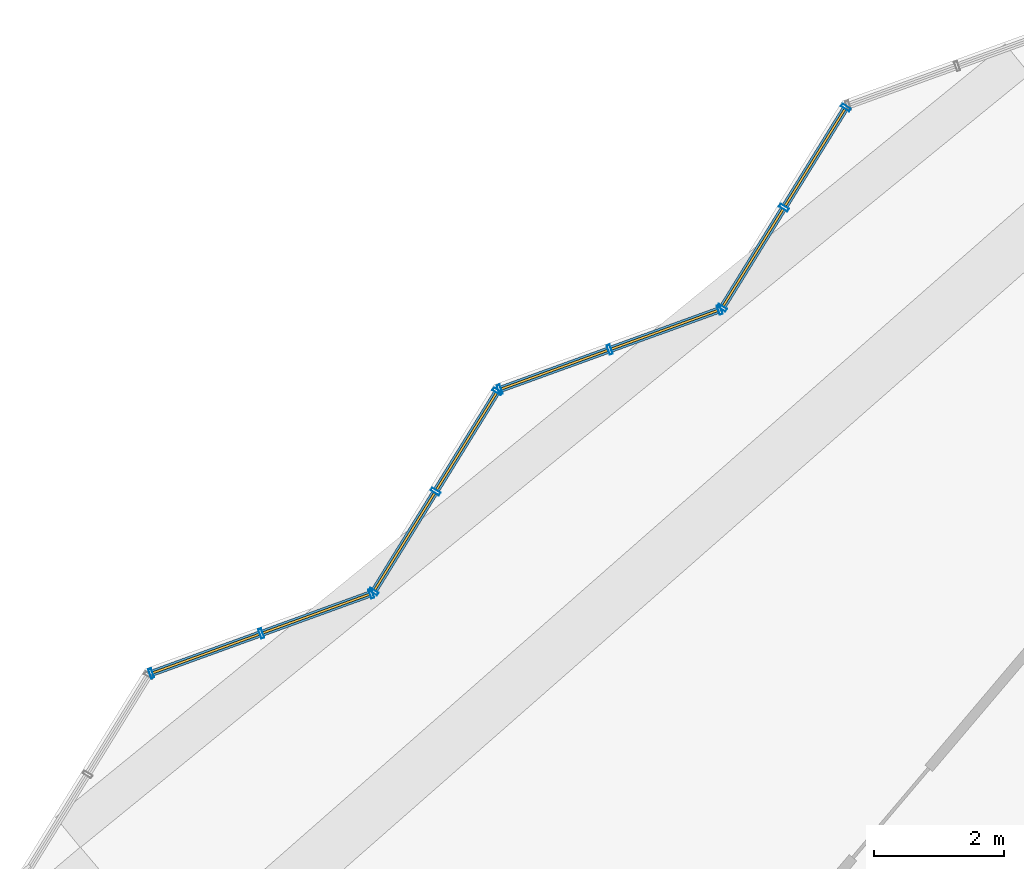
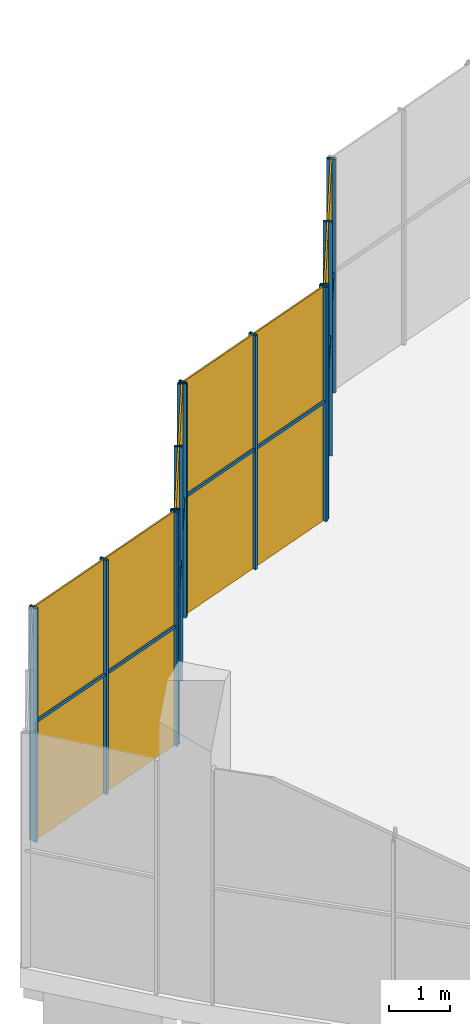
# One storey, part 29 of 41: 20 members, 4 curtain walls.
"""IFC4 building model written with IfcOpenShell, lengths in metres."""

import ifcopenshell
import ifcopenshell.guid

model = None  # the IFC model being written
_history = None  # IfcOwnerHistory: only IFC2X3 demands one
_inside = {}  # id of a spatial element -> (the spatial element, [elements in it])
_under = {}  # id of a project, library or spatial element -> (it, [spatial elements below it])
_declared = {}  # id of a project -> (the project, [libraries it declares])
_typed = {}  # id of a type object -> (the type object, [elements of that type])
_made_of = {}  # id of a material, layer set ... -> (it, [elements and type objects made of it])


def new_model(schema):
    """Start an empty IFC model of exactly this schema.

    Asked for "IFC4X3", IfcOpenShell would pick the latest addendum, in which some entities
    have other attributes; the version numbers below select the first issue.
    IFC2X3 requires an IfcOwnerHistory on every rooted entity: one is made here for all.
    """
    global model, _history
    if schema == "IFC4X3":
        model = ifcopenshell.file(schema_version=(4, 3, 0, 0))
    else:
        model = ifcopenshell.file(schema=schema)
    _inside.clear()
    _under.clear()
    _declared.clear()
    _typed.clear()
    _made_of.clear()
    _history = None
    if model.schema == "IFC2X3":
        org = make("IfcOrganization", Name="unknown")
        user = make(
            "IfcPersonAndOrganization",
            ThePerson=make("IfcPerson", FamilyName="unknown"),
            TheOrganization=org,
        )
        app = make(
            "IfcApplication",
            ApplicationDeveloper=org,
            Version="unknown",
            ApplicationFullName="unknown",
            ApplicationIdentifier="unknown",
        )
        _history = make(
            "IfcOwnerHistory",
            OwningUser=user,
            OwningApplication=app,
            ChangeAction="ADDED",
            CreationDate=0,
        )
    return model


def make(cls, **values):
    """One entity of the class cls with the attributes given. An attribute that is None is left unset."""
    return model.create_entity(
        cls, **{name: value for name, value in values.items() if value is not None}
    )


def rooted(cls, **values):
    """An entity with a GlobalId (a new one), such as an element, a storey or a relation."""
    return make(cls, GlobalId=ifcopenshell.guid.new(), OwnerHistory=_history, **values)


def si_unit(unit_type, name, prefix=None):
    """IfcSIUnit, for example si_unit("LENGTHUNIT", "METRE", prefix="MILLI")."""
    return make("IfcSIUnit", UnitType=unit_type, Prefix=prefix, Name=name)


def assignment(units):
    """IfcUnitAssignment: the units of a project."""
    return None if units is None else make("IfcUnitAssignment", Units=units)


def point(xyz):
    """IfcCartesianPoint."""
    return None if xyz is None else make("IfcCartesianPoint", Coordinates=xyz)


def direction(xyz):
    """IfcDirection."""
    return None if xyz is None else make("IfcDirection", DirectionRatios=xyz)


def frame(location, z_axis=None, x_axis=None):
    """IfcAxis2Placement3D, a coordinate frame: its origin and axes. An axis left out is left unset."""
    return make(
        "IfcAxis2Placement3D",
        Location=point(location),
        Axis=direction(z_axis),
        RefDirection=direction(x_axis),
    )


def frame_2d(location, x_axis=None):
    """IfcAxis2Placement2D, a coordinate frame in the plane: its origin and x axis."""
    return make(
        "IfcAxis2Placement2D", Location=point(location), RefDirection=direction(x_axis)
    )


def origin():
    """The frame at (0, 0, 0) with its axes left unset."""
    return frame((0.0, 0.0, 0.0))


def origin_2d():
    """The frame at (0, 0) in the plane with its x axis left unset."""
    return frame_2d((0.0, 0.0))


def place(relative_to, where):
    """IfcLocalPlacement: puts the frame where relative to a parent placement (None: the world)."""
    return make(
        "IfcLocalPlacement", PlacementRelTo=relative_to, RelativePlacement=where
    )


def context(
    kind, dimensions, precision=None, world=None, true_north=None, identifier=None
):
    """IfcGeometricRepresentationContext, for example the 3D "Model" context."""
    return make(
        "IfcGeometricRepresentationContext",
        ContextIdentifier=identifier,
        ContextType=kind,
        CoordinateSpaceDimension=dimensions,
        Precision=precision,
        WorldCoordinateSystem=world,
        TrueNorth=true_north,
    )


def subcontext(parent, identifier, kind, view, scale=None):
    """IfcGeometricRepresentationSubContext, for example "Body" below "Model"."""
    return make(
        "IfcGeometricRepresentationSubContext",
        ContextIdentifier=identifier,
        ContextType=kind,
        ParentContext=parent,
        TargetScale=scale,
        TargetView=view,
    )


def project(units=None, contexts=None):
    """IfcProject with its units and contexts."""
    return rooted(
        "IfcProject",
        Name="project",
        RepresentationContexts=contexts,
        UnitsInContext=assignment(units),
    )


def spatial(cls, under=None, at=None, **own):
    """A site, building, storey or space (cls), placed at a placement, below another one or the project."""
    s = rooted(cls, ObjectPlacement=at, **own)
    if under is not None:
        _under.setdefault(under.id(), (under, []))[1].append(s)
    return s


def profile(cls, at=None, kind="AREA", **sizes):
    """A parametric profile (cls). Its sizes go by their IFC names, for example OverallWidth=200.0."""
    return make(cls, ProfileType=kind, Position=at, **sizes)


def rectangle(**sizes):
    """IfcRectangleProfileDef."""
    return profile("IfcRectangleProfileDef", **sizes)


def hollow_rectangle(**sizes):
    """IfcRectangleHollowProfileDef."""
    return profile("IfcRectangleHollowProfileDef", **sizes)


def extrude(swept, where, along, depth):
    """IfcExtrudedAreaSolid: the profile swept, set in the frame where, extruded along a direction by depth."""
    return make(
        "IfcExtrudedAreaSolid",
        SweptArea=swept,
        Position=where,
        ExtrudedDirection=direction(along),
        Depth=depth,
    )


def shape(context_of_items, identifier, shape_type, items):
    """IfcShapeRepresentation: the items that make up one representation, for example the "Body"."""
    return make(
        "IfcShapeRepresentation",
        ContextOfItems=context_of_items,
        RepresentationIdentifier=identifier,
        RepresentationType=shape_type,
        Items=items,
    )


def material(Name=None, Category=None):
    """IfcMaterial."""
    return make("IfcMaterial", Name=Name, Category=Category)


def material_profile(
    of_material, cross_section, Name=None, Category=None, Priority=None
):
    """IfcMaterialProfile: a cross section and its material."""
    return make(
        "IfcMaterialProfile",
        Name=Name,
        Material=of_material,
        Profile=cross_section,
        Priority=Priority,
        Category=Category,
    )


def profile_set(profiles, Name=None, composite=None):
    """IfcMaterialProfileSet."""
    return make(
        "IfcMaterialProfileSet",
        Name=Name,
        MaterialProfiles=profiles,
        CompositeProfile=composite,
    )


def made_of(thing, what):
    """Note that an element or type object is made of a material, layer set ...; save() writes the relation."""
    if what is not None:
        _made_of.setdefault(what.id(), (what, []))[1].append(thing)
    return thing


def type_object(cls, material=None, **own):
    """A type object (cls), such as IfcWallType, which elements share."""
    return made_of(rooted(cls, **own), material)


def element(
    cls,
    number,
    at=None,
    inside=None,
    cuts=None,
    type_object=None,
    material=None,
    context=None,
    identifier="Body",
    shape_type=None,
    held_by="IfcProductDefinitionShape",
    body=None,
    shapes=None,
    **own,
):
    """One element of the class cls, such as IfcWall. Its Tag is "e" and its number.

    at: its placement. inside: the storey or other place that contains it. cuts: it is an
    opening in that element (IfcRelVoidsElement). A single representation is given by context,
    identifier, shape_type and body (its items); several are given by shapes. held_by: the class
    of the entity that holds the representations. save() writes the other relations.
    """
    e = rooted(cls, Tag="e%d" % number, ObjectPlacement=at, **own)
    if body is not None:
        shapes = [shape(context, identifier, shape_type, body)]
    if shapes is not None:
        e.Representation = make(held_by, Representations=shapes)
    if inside is not None:
        _inside.setdefault(inside.id(), (inside, []))[1].append(e)
    if cuts is not None:
        rooted(
            "IfcRelVoidsElement", RelatingBuildingElement=cuts, RelatedOpeningElement=e
        )
    if type_object is not None:
        _typed.setdefault(type_object.id(), (type_object, []))[1].append(e)
    return made_of(e, material)


def aggregate(whole, parts):
    """IfcRelAggregates: a whole, such as a stair, and the parts it consists of."""
    return rooted("IfcRelAggregates", RelatingObject=whole, RelatedObjects=parts)


def save(model, path):
    """Write the relations noted so far, then the file.

    IfcRelAggregates (storeys below a building ...), IfcRelContainedInSpatialStructure (elements
    in a storey), IfcRelDefinesByType, IfcRelAssociatesMaterial and IfcRelDeclares: one each for
    every whole, place, type object, material and project.
    """
    for whole, parts in _under.values():
        aggregate(whole, parts)
    for where, things in _inside.values():
        rooted(
            "IfcRelContainedInSpatialStructure",
            RelatedElements=things,
            RelatingStructure=where,
        )
    for kind, things in _typed.values():
        rooted("IfcRelDefinesByType", RelatedObjects=things, RelatingType=kind)
    for what, things in _made_of.values():
        rooted("IfcRelAssociatesMaterial", RelatedObjects=things, RelatingMaterial=what)
    for by, libraries in _declared.values():
        rooted("IfcRelDeclares", RelatingContext=by, RelatedDefinitions=libraries)
    model.write(path)


model = new_model("IFC4")

# Units and contexts
model_context = context("Model", 3, precision=1e-05, world=origin(), true_north=direction((0.0, 1.0)))
body_context = subcontext(model_context, "Body", "Model", "MODEL_VIEW")
ifc_project = project(units=[si_unit("LENGTHUNIT", "METRE"), si_unit("AREAUNIT", "SQUARE_METRE"), si_unit("VOLUMEUNIT", "CUBIC_METRE"), si_unit("PLANEANGLEUNIT", "RADIAN"), si_unit("MASSUNIT", "GRAM", prefix="KILO")], contexts=[model_context])

# Member
ifc_material = material(Name="Steel S355", Category="steel")
ifc_material_profile_1 = material_profile(ifc_material, hollow_rectangle(XDim=0.14990234375, YDim=0.050048828125, WallThickness=0.0048828125, at=origin_2d()))
ifc_profile_set_1 = profile_set([ifc_material_profile_1], Name="Steel S355")
member_type_1 = type_object("IfcMemberType", Name="Mullion RHS 150x50x5 steel S355", PredefinedType="MULLION", material=ifc_profile_set_1)
site_placement = place(None, origin())
building_placement = place(site_placement, origin())
storey_placement = place(building_placement, frame((0.0, 0.0, 284.699951171875)))
member_1_placement = place(storey_placement, frame((-48.067626953125, -37.75390625, 0.0), z_axis=(0.0, 0.0, 1.0), x_axis=(0.850651644357, -0.525729759433, 0.0)))
member_1 = element("IfcMember", 1, at=member_1_placement, type_object=member_type_1, Name="e-cw5-L69-capW1/M00", PredefinedType="MULLION", context=body_context, shape_type="SweptSolid", body=[
    extrude(hollow_rectangle(XDim=0.14990234375, YDim=0.050048828125, WallThickness=0.0048828125, at=origin_2d()), origin(), (0.0, 0.0, 1.0), 4.699951171875),
])

member_2_placement = place(storey_placement, frame((-49.017578125, -39.291015625, 0.0), z_axis=(0.0, 0.0, 1.0), x_axis=(0.850651644357, -0.525729759433, 0.0)))
member_2 = element("IfcMember", 2, at=member_2_placement, type_object=member_type_1, Name="e-cw5-L69-capW1/M01", PredefinedType="MULLION", context=body_context, shape_type="SweptSolid", body=[
    extrude(hollow_rectangle(XDim=0.14990234375, YDim=0.050048828125, WallThickness=0.0048828125, at=origin_2d()), origin(), (0.0, 0.0, 1.0), 4.699951171875),
])

member_3_placement = place(storey_placement, frame((-49.967529296875, -40.828125, 0.0), z_axis=(0.0, 0.0, 1.0), x_axis=(0.850651644357, -0.525729759433, 0.0)))
member_3 = element("IfcMember", 3, at=member_3_placement, type_object=member_type_1, Name="e-cw5-L69-capW1/M02", PredefinedType="MULLION", context=body_context, shape_type="SweptSolid", body=[
    extrude(hollow_rectangle(XDim=0.14990234375, YDim=0.050048828125, WallThickness=0.0048828125, at=origin_2d()), origin(), (0.0, 0.0, 1.0), 4.699951171875),
])

member_4_placement = place(storey_placement, frame((-50.004150390625, -40.85791015625, 0.0), z_axis=(0.0, 0.0, 1.0), x_axis=(0.340912731263, -0.940094947153, 0.0)))
member_4 = element("IfcMember", 4, at=member_4_placement, type_object=member_type_1, Name="e-cw5-L69-capW2/M00", PredefinedType="MULLION", context=body_context, shape_type="SweptSolid", body=[
    extrude(hollow_rectangle(XDim=0.14990234375, YDim=0.050048828125, WallThickness=0.0048828125, at=origin_2d()), origin(), (0.0, 0.0, 1.0), 4.699951171875),
])

member_5_placement = place(storey_placement, frame((-51.69287109375, -41.47021484375, 0.0), z_axis=(0.0, 0.0, 1.0), x_axis=(0.340912731263, -0.940094947153, 0.0)))
member_5 = element("IfcMember", 5, at=member_5_placement, type_object=member_type_1, Name="e-cw5-L69-capW2/M01", PredefinedType="MULLION", context=body_context, shape_type="SweptSolid", body=[
    extrude(hollow_rectangle(XDim=0.14990234375, YDim=0.050048828125, WallThickness=0.0048828125, at=origin_2d()), origin(), (0.0, 0.0, 1.0), 4.699951171875),
])

member_6_placement = place(storey_placement, frame((-53.381591796875, -42.082763671875, 0.0), z_axis=(0.0, 0.0, 1.0), x_axis=(0.340912731263, -0.940094947153, 0.0)))
member_6 = element("IfcMember", 6, at=member_6_placement, type_object=member_type_1, Name="e-cw5-L69-capW2/M02", PredefinedType="MULLION", context=body_context, shape_type="SweptSolid", body=[
    extrude(hollow_rectangle(XDim=0.14990234375, YDim=0.050048828125, WallThickness=0.0048828125, at=origin_2d()), origin(), (0.0, 0.0, 1.0), 4.699951171875),
])

member_7_placement = place(storey_placement, frame((-53.418212890625, -42.112548828125, 0.0), z_axis=(0.0, 0.0, 1.0), x_axis=(0.850709858797, -0.525635554491, 0.0)))
member_7 = element("IfcMember", 7, at=member_7_placement, type_object=member_type_1, Name="e-cw5-L69-capW3/M00", PredefinedType="MULLION", context=body_context, shape_type="SweptSolid", body=[
    extrude(hollow_rectangle(XDim=0.14990234375, YDim=0.050048828125, WallThickness=0.0048828125, at=origin_2d()), origin(), (0.0, 0.0, 1.0), 4.699951171875),
])

member_8_placement = place(storey_placement, frame((-54.36767578125, -43.649169921875, 0.0), z_axis=(0.0, 0.0, 1.0), x_axis=(0.850709858797, -0.525635554491, 0.0)))
member_8 = element("IfcMember", 8, at=member_8_placement, type_object=member_type_1, Name="e-cw5-L69-capW3/M01", PredefinedType="MULLION", context=body_context, shape_type="SweptSolid", body=[
    extrude(hollow_rectangle(XDim=0.14990234375, YDim=0.050048828125, WallThickness=0.0048828125, at=origin_2d()), origin(), (0.0, 0.0, 1.0), 4.699951171875),
])

member_9_placement = place(storey_placement, frame((-55.317138671875, -45.185791015625, 0.0), z_axis=(0.0, 0.0, 1.0), x_axis=(0.850709858797, -0.525635554491, 0.0)))
member_9 = element("IfcMember", 9, at=member_9_placement, type_object=member_type_1, Name="e-cw5-L69-capW3/M02", PredefinedType="MULLION", context=body_context, shape_type="SweptSolid", body=[
    extrude(hollow_rectangle(XDim=0.14990234375, YDim=0.050048828125, WallThickness=0.0048828125, at=origin_2d()), origin(), (0.0, 0.0, 1.0), 4.699951171875),
])

member_10_placement = place(storey_placement, frame((-55.353759765625, -45.215576171875, 0.0), z_axis=(0.0, 0.0, 1.0), x_axis=(0.340992958417, -0.940065849986, 0.0)))
member_10 = element("IfcMember", 10, at=member_10_placement, type_object=member_type_1, Name="e-cw5-L69-capW4/M00", PredefinedType="MULLION", context=body_context, shape_type="SweptSolid", body=[
    extrude(hollow_rectangle(XDim=0.14990234375, YDim=0.050048828125, WallThickness=0.0048828125, at=origin_2d()), origin(), (0.0, 0.0, 1.0), 4.699951171875),
])

member_11_placement = place(storey_placement, frame((-57.04296875, -45.828369140625, 0.0), z_axis=(0.0, 0.0, 1.0), x_axis=(0.340992958417, -0.940065849986, 0.0)))
member_11 = element("IfcMember", 11, at=member_11_placement, type_object=member_type_1, Name="e-cw5-L69-capW4/M01", PredefinedType="MULLION", context=body_context, shape_type="SweptSolid", body=[
    extrude(hollow_rectangle(XDim=0.14990234375, YDim=0.050048828125, WallThickness=0.0048828125, at=origin_2d()), origin(), (0.0, 0.0, 1.0), 4.699951171875),
])

member_12_placement = place(storey_placement, frame((-58.732177734375, -46.44091796875, 0.0), z_axis=(0.0, 0.0, 1.0), x_axis=(0.340992958417, -0.940065849986, 0.0)))
member_12 = element("IfcMember", 12, at=member_12_placement, type_object=member_type_1, Name="e-cw5-L69-capW4/M02", PredefinedType="MULLION", context=body_context, shape_type="SweptSolid", body=[
    extrude(hollow_rectangle(XDim=0.14990234375, YDim=0.050048828125, WallThickness=0.0048828125, at=origin_2d()), origin(), (0.0, 0.0, 1.0), 4.699951171875),
])

ifc_material_profile_2 = material_profile(ifc_material, hollow_rectangle(XDim=0.10009765625, YDim=0.050048828125, WallThickness=0.00390625, at=origin_2d()))
ifc_profile_set_2 = profile_set([ifc_material_profile_2], Name="Steel S355")
member_type_2 = type_object("IfcMemberType", Name="Transom RHS 100x50x4 steel S355", PredefinedType="USERDEFINED", material=ifc_profile_set_2)
member_13_placement = place(storey_placement, frame((-48.080810546875, -37.775146484375, 2.400146484375), z_axis=(-0.525670370941, -0.850688345468, 0.0), x_axis=(0.850688345468, -0.525670370941, 0.0)))
member_13 = element("IfcMember", 13, at=member_13_placement, type_object=member_type_2, Name="e-cw5-L69-capW1/T00", ObjectType="TRANSOM", PredefinedType="USERDEFINED", context=body_context, shape_type="SweptSolid", body=[
    extrude(hollow_rectangle(XDim=0.10009765625, YDim=0.050048828125, WallThickness=0.00390625, at=origin_2d()), origin(), (0.0, 0.0, 1.0), 1.757080078125),
])

member_14_placement = place(storey_placement, frame((-49.03076171875, -39.312255859375, 2.400146484375), z_axis=(-0.525670370941, -0.850688345468, 0.0), x_axis=(0.850688345468, -0.525670370941, 0.0)))
member_14 = element("IfcMember", 14, at=member_14_placement, type_object=member_type_2, Name="e-cw5-L69-capW1/T01", ObjectType="TRANSOM", PredefinedType="USERDEFINED", context=body_context, shape_type="SweptSolid", body=[
    extrude(hollow_rectangle(XDim=0.10009765625, YDim=0.050048828125, WallThickness=0.00390625, at=origin_2d()), origin(), (0.0, 0.0, 1.0), 1.757080078125),
])

member_15_placement = place(storey_placement, frame((-50.027587890625, -40.866455078125, 2.400146484375), z_axis=(-0.940127666696, -0.340822490915, 0.0), x_axis=(0.340822490915, -0.940127666696, 0.0)))
member_15 = element("IfcMember", 15, at=member_15_placement, type_object=member_type_2, Name="e-cw5-L69-capW2/T00", ObjectType="TRANSOM", PredefinedType="USERDEFINED", context=body_context, shape_type="SweptSolid", body=[
    extrude(hollow_rectangle(XDim=0.10009765625, YDim=0.050048828125, WallThickness=0.00390625, at=origin_2d()), origin(), (0.0, 0.0, 1.0), 1.746337890625),
])

member_16_placement = place(storey_placement, frame((-51.71630859375, -41.478759765625, 2.400146484375), z_axis=(-0.940082867766, -0.340946039328, 0.0), x_axis=(0.340946039328, -0.940082867766, 0.0)))
member_16 = element("IfcMember", 16, at=member_16_placement, type_object=member_type_2, Name="e-cw5-L69-capW2/T01", ObjectType="TRANSOM", PredefinedType="USERDEFINED", context=body_context, shape_type="SweptSolid", body=[
    extrude(hollow_rectangle(XDim=0.10009765625, YDim=0.050048828125, WallThickness=0.00390625, at=origin_2d()), origin(), (0.0, 0.0, 1.0), 1.74658203125),
])

member_17_placement = place(storey_placement, frame((-53.431396484375, -42.1337890625, 2.400146484375), z_axis=(-0.525593499807, -0.850735842057, 0.0), x_axis=(0.850735842057, -0.525593499807, 0.0)))
member_17 = element("IfcMember", 17, at=member_17_placement, type_object=member_type_2, Name="e-cw5-L69-capW3/T00", ObjectType="TRANSOM", PredefinedType="USERDEFINED", context=body_context, shape_type="SweptSolid", body=[
    extrude(hollow_rectangle(XDim=0.10009765625, YDim=0.050048828125, WallThickness=0.00390625, at=origin_2d()), origin(), (0.0, 0.0, 1.0), 1.75634765625),
])

member_18_placement = place(storey_placement, frame((-54.380859375, -43.67041015625, 2.400146484375), z_axis=(-0.525593499807, -0.850735842057, 0.0), x_axis=(0.850735842057, -0.525593499807, 0.0)))
member_18 = element("IfcMember", 18, at=member_18_placement, type_object=member_type_2, Name="e-cw5-L69-capW3/T01", ObjectType="TRANSOM", PredefinedType="USERDEFINED", context=body_context, shape_type="SweptSolid", body=[
    extrude(hollow_rectangle(XDim=0.10009765625, YDim=0.050048828125, WallThickness=0.00390625, at=origin_2d()), origin(), (0.0, 0.0, 1.0), 1.75634765625),
])

member_19_placement = place(storey_placement, frame((-55.37744140625, -45.22412109375, 2.400146484375), z_axis=(-0.940054314362, -0.341024758704, 0.0), x_axis=(0.341024758704, -0.940054314362, 0.0)))
member_19 = element("IfcMember", 19, at=member_19_placement, type_object=member_type_2, Name="e-cw5-L69-capW4/T00", ObjectType="TRANSOM", PredefinedType="USERDEFINED", context=body_context, shape_type="SweptSolid", body=[
    extrude(hollow_rectangle(XDim=0.10009765625, YDim=0.050048828125, WallThickness=0.00390625, at=origin_2d()), origin(), (0.0, 0.0, 1.0), 1.746826171875),
])

member_20_placement = place(storey_placement, frame((-57.06640625, -45.8369140625, 2.400146484375), z_axis=(-0.940099114256, -0.340901239915, 0.0), x_axis=(0.340901239915, -0.940099114256, 0.0)))
member_20 = element("IfcMember", 20, at=member_20_placement, type_object=member_type_2, Name="e-cw5-L69-capW4/T01", ObjectType="TRANSOM", PredefinedType="USERDEFINED", context=body_context, shape_type="SweptSolid", body=[
    extrude(hollow_rectangle(XDim=0.10009765625, YDim=0.050048828125, WallThickness=0.00390625, at=origin_2d()), origin(), (0.0, 0.0, 1.0), 1.746826171875),
])

# Site, building, storey
site = spatial("IfcSite", under=ifc_project, at=site_placement, CompositionType="ELEMENT")
building = spatial("IfcBuilding", under=site, at=building_placement, Name="Qamariyya Broadcast Tower", CompositionType="ELEMENT")
storey = spatial("IfcBuildingStorey", under=building, at=storey_placement, Name="L69", CompositionType="ELEMENT", Elevation=284.699951171875)

# Curtain wall
curtain_wall_type = type_object("IfcCurtainWallType", Name="Observation gallery all-glass wall, steel mullions", PredefinedType="NOTDEFINED", material=ifc_material)
curtain_wall_1_placement = place(storey_placement, origin())
curtain_wall_1 = element("IfcCurtainWall", 21, at=curtain_wall_1_placement, inside=storey, type_object=curtain_wall_type, Name="e-cw5-L69-capW1", PredefinedType="NOTDEFINED", context=body_context, shape_type="SweptSolid", body=[
    extrude(rectangle(XDim=1.757080078125, YDim=0.031982421875, at=origin_2d()), frame((-48.54248046875, -38.5224609375, 0.0), x_axis=(-0.525739699447, -0.850645501032, 0.0)), (0.0, 0.0, 1.0), 2.375),
    extrude(rectangle(XDim=1.757080078125, YDim=0.031982421875, at=origin_2d()), frame((-48.54248046875, -38.5224609375, 2.425048828125), x_axis=(-0.525739699447, -0.850645501032, 0.0)), (0.0, 0.0, 1.0), 2.27490234375),
    extrude(rectangle(XDim=1.757080078125, YDim=0.031982421875, at=origin_2d()), frame((-49.49267578125, -40.0595703125, 0.0), x_axis=(-0.525739699447, -0.850645501032, 0.0)), (0.0, 0.0, 1.0), 2.375),
    extrude(rectangle(XDim=1.757080078125, YDim=0.031982421875, at=origin_2d()), frame((-49.49267578125, -40.0595703125, 2.425048828125), x_axis=(-0.525739699447, -0.850645501032, 0.0)), (0.0, 0.0, 1.0), 2.27490234375),
])

aggregate(curtain_wall_1, [member_1, member_2, member_3, member_13, member_14])

curtain_wall_2_placement = place(storey_placement, origin())
curtain_wall_2 = element("IfcCurtainWall", 22, at=curtain_wall_2_placement, inside=storey, type_object=curtain_wall_type, Name="e-cw5-L69-capW2", PredefinedType="NOTDEFINED", context=body_context, shape_type="SweptSolid", body=[
    extrude(rectangle(XDim=1.746337890625, YDim=0.031982421875, at=origin_2d()), frame((-50.8486328125, -41.1640625, 0.0), x_axis=(-0.940102237601, -0.340892626582, 0.0)), (0.0, 0.0, 1.0), 2.375),
    extrude(rectangle(XDim=1.746337890625, YDim=0.031982421875, at=origin_2d()), frame((-50.8486328125, -41.1640625, 2.425048828125), x_axis=(-0.940102237601, -0.340892626582, 0.0)), (0.0, 0.0, 1.0), 2.27490234375),
    extrude(rectangle(XDim=1.746337890625, YDim=0.031982421875, at=origin_2d()), frame((-52.537109375, -41.7763671875, 0.0), x_axis=(-0.940102237601, -0.340892626582, 0.0)), (0.0, 0.0, 1.0), 2.375),
    extrude(rectangle(XDim=1.746337890625, YDim=0.031982421875, at=origin_2d()), frame((-52.537109375, -41.7763671875, 2.425048828125), x_axis=(-0.940102237601, -0.340892626582, 0.0)), (0.0, 0.0, 1.0), 2.27490234375),
])

aggregate(curtain_wall_2, [member_4, member_5, member_6, member_15, member_16])

curtain_wall_3_placement = place(storey_placement, origin())
curtain_wall_3 = element("IfcCurtainWall", 23, at=curtain_wall_3_placement, inside=storey, type_object=curtain_wall_type, Name="e-cw5-L69-capW3", PredefinedType="NOTDEFINED", context=body_context, shape_type="SweptSolid", body=[
    extrude(rectangle(XDim=1.75634765625, YDim=0.031982421875, at=origin_2d()), frame((-53.892822265625, -42.880615234375, 0.0), x_axis=(-0.525636198898, -0.850709460631, 0.0)), (0.0, 0.0, 1.0), 2.375),
    extrude(rectangle(XDim=1.75634765625, YDim=0.031982421875, at=origin_2d()), frame((-53.892822265625, -42.880615234375, 2.425048828125), x_axis=(-0.525636198898, -0.850709460631, 0.0)), (0.0, 0.0, 1.0), 2.27490234375),
    extrude(rectangle(XDim=1.75634765625, YDim=0.031982421875, at=origin_2d()), frame((-54.842529296875, -44.41748046875, 0.0), x_axis=(-0.525636198898, -0.850709460631, 0.0)), (0.0, 0.0, 1.0), 2.375),
    extrude(rectangle(XDim=1.75634765625, YDim=0.031982421875, at=origin_2d()), frame((-54.842529296875, -44.41748046875, 2.425048828125), x_axis=(-0.525636198898, -0.850709460631, 0.0)), (0.0, 0.0, 1.0), 2.27490234375),
])

aggregate(curtain_wall_3, [member_7, member_8, member_9, member_17, member_18])

curtain_wall_4_placement = place(storey_placement, origin())
curtain_wall_4 = element("IfcCurtainWall", 24, at=curtain_wall_4_placement, inside=storey, type_object=curtain_wall_type, Name="e-cw5-L69-capW4", PredefinedType="NOTDEFINED", context=body_context, shape_type="SweptSolid", body=[
    extrude(rectangle(XDim=1.746826171875, YDim=0.031982421875, at=origin_2d()), frame((-56.198486328125, -45.52197265625, 0.0), x_axis=(-0.940068959463, -0.340984385938, 0.0)), (0.0, 0.0, 1.0), 2.375),
    extrude(rectangle(XDim=1.746826171875, YDim=0.031982421875, at=origin_2d()), frame((-56.198486328125, -45.52197265625, 2.425048828125), x_axis=(-0.940068959463, -0.340984385938, 0.0)), (0.0, 0.0, 1.0), 2.27490234375),
    extrude(rectangle(XDim=1.746826171875, YDim=0.031982421875, at=origin_2d()), frame((-57.887451171875, -46.134521484375, 0.0), x_axis=(-0.940068959463, -0.340984385938, 0.0)), (0.0, 0.0, 1.0), 2.375),
    extrude(rectangle(XDim=1.746826171875, YDim=0.031982421875, at=origin_2d()), frame((-57.887451171875, -46.134521484375, 2.425048828125), x_axis=(-0.940068959463, -0.340984385938, 0.0)), (0.0, 0.0, 1.0), 2.27490234375),
])

aggregate(curtain_wall_4, [member_10, member_11, member_12, member_19, member_20])

save(model, "model.ifc")
